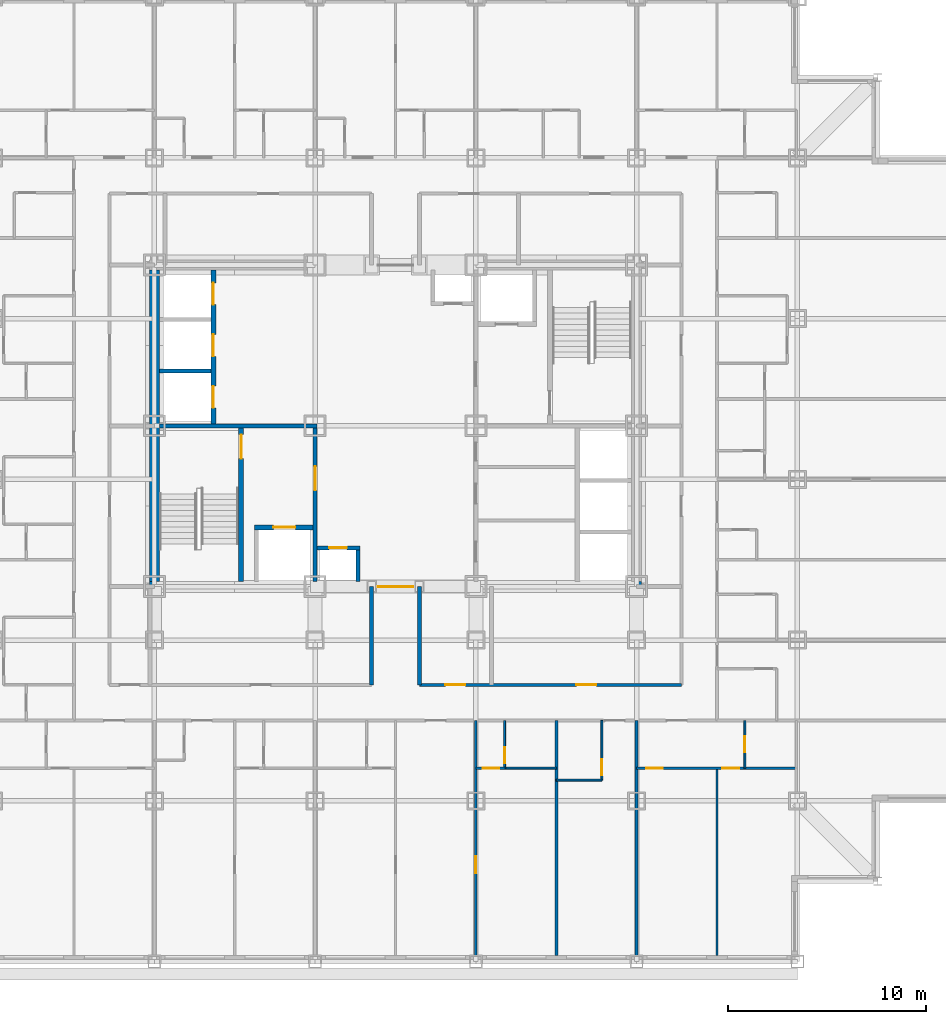
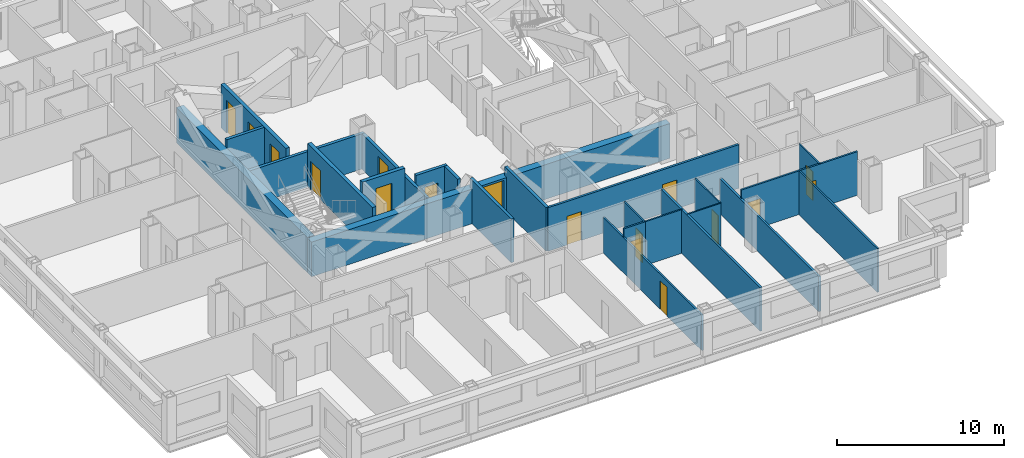
# One storey, part 6 of 12: 24 walls, 17 doors, 17 openings.
"""IFC4 building model written with IfcOpenShell, lengths in metres."""

from ifc_helpers import new_model, si_unit, direction, frame, frame_2d, origin, place, context, subcontext, project, spatial, rectangle, extrude, material, layer, layer_set, type_object, element, fill, save


model = new_model("IFC4")

# Units and contexts
model_context = context("Model", 3, precision=1e-05, world=origin(), true_north=direction((0.0, 1.0)))
body_context = subcontext(model_context, "Body", "Model", "MODEL_VIEW")
ifc_project = project(units=[si_unit("LENGTHUNIT", "METRE"), si_unit("AREAUNIT", "SQUARE_METRE"), si_unit("VOLUMEUNIT", "CUBIC_METRE"), si_unit("PLANEANGLEUNIT", "RADIAN"), si_unit("MASSUNIT", "GRAM", prefix="KILO")], contexts=[model_context])

# Site, building, storey
site_placement = place(None, origin())
site = spatial("IfcSite", under=ifc_project, at=site_placement, CompositionType="ELEMENT")
building_placement = place(site_placement, origin())
building = spatial("IfcBuilding", under=site, at=building_placement, Name="Kopane Lantern Tower", CompositionType="ELEMENT")
storey_placement = place(building_placement, frame((0.0, 0.0, 117.0)))
storey = spatial("IfcBuildingStorey", under=building, at=storey_placement, Name="L29", CompositionType="ELEMENT", Elevation=117.0)

# Wall, opening, door
ifc_material_1 = material(Name="Gypsum board on steel studs", Category="steel")
ifc_layer_1 = layer(ifc_material_1, 0.1201171875)
ifc_layer_set_1 = layer_set([ifc_layer_1], Name="APARTMENT INTERNAL WALL 120")
wall_type_1 = type_object("IfcWallType", Name="APARTMENT INTERNAL WALL 120", PredefinedType="PARTITIONING", material=ifc_layer_set_1)
wall_1_placement = place(storey_placement, frame((32.39990234375, 17.550048828125, 0.0), z_axis=(0.0, 0.0, 1.0), x_axis=(0.0, -1.0, 0.0)))
wall_1 = element("IfcWall", 1, at=wall_1_placement, inside=storey, type_object=wall_type_1, Name="Apartment Internal Wall 120 L29", PredefinedType="PARTITIONING", context=body_context, shape_type="SweptSolid", body=[
    extrude(rectangle(XDim=11.85009765625, YDim=0.1201171875, at=frame_2d((5.925048828125, 0.0))), origin(), (0.0, 0.0, 1.0), 2.577880859375),
])
opening_1_placement = place(wall_1_placement, frame((6.85009765625, 0.0, 0.0)))
opening_1 = element("IfcOpeningElement", 2, at=opening_1_placement, cuts=wall_1, Name="Opening L29-021", PredefinedType="OPENING", context=body_context, shape_type="SweptSolid", body=[
    extrude(rectangle(XDim=0.85009765625, YDim=2.10009765625, at=frame_2d((0.425048828125, 1.050048828125))), frame((0.0, 0.070068359375, 0.0), z_axis=(0.0, -1.0, 0.0), x_axis=(1.0, 0.0, 0.0)), (0.0, 0.0, 1.0), 0.14013671875),
])
ifc_material_2 = material(Name="Timber door set", Category="wood")
door_type_1 = type_object("IfcDoorType", Name="DOOR D4 850x2100", OperationType="SINGLE_SWING_LEFT", PredefinedType="DOOR", material=ifc_material_2)
door_1_placement = place(opening_1_placement, origin())
door_1 = element("IfcDoor", 3, at=door_1_placement, inside=storey, type_object=door_type_1, Name="Door L29-021", OperationType="SINGLE_SWING_LEFT", OverallHeight=2.10009765625, OverallWidth=0.85009765625, PredefinedType="DOOR", context=body_context, shape_type="SweptSolid", body=[
    extrude(rectangle(XDim=0.85009765625, YDim=2.10009765625, at=frame_2d((0.425048828125, 1.050048828125))), frame((0.0, 0.02490234375, 0.0), z_axis=(0.0, -1.0, 0.0), x_axis=(1.0, 0.0, 0.0)), (0.0, 0.0, 1.0), 0.050048828125),
])
fill(opening_1, door_1)

# Wall, openings, doors
wall_2_placement = place(storey_placement, frame((40.5, 15.14990234375, 0.0), z_axis=(0.0, 0.0, 1.0), x_axis=(1.0, 0.0, 0.0)))
wall_2 = element("IfcWall", 4, at=wall_2_placement, inside=storey, type_object=wall_type_1, Name="Apartment Internal Wall 120 L29", PredefinedType="PARTITIONING", context=body_context, shape_type="SweptSolid", body=[
    extrude(rectangle(XDim=8.050048828125, YDim=0.1201171875, at=frame_2d((4.02490234375, 0.0))), origin(), (0.0, 0.0, 1.0), 3.18994140625),
])
opening_2_placement = place(wall_2_placement, frame((0.47509765625, 0.0, 0.0)))
opening_2 = element("IfcOpeningElement", 5, at=opening_2_placement, cuts=wall_2, Name="Opening L29-064", PredefinedType="OPENING", context=body_context, shape_type="SweptSolid", body=[
    extrude(rectangle(XDim=0.85009765625, YDim=2.10009765625, at=frame_2d((0.425048828125, 1.050048828125))), frame((0.0, 0.070068359375, 0.0), z_axis=(0.0, -1.0, 0.0), x_axis=(1.0, 0.0, 0.0)), (0.0, 0.0, 1.0), 0.14013671875),
])
opening_3_placement = place(wall_2_placement, frame((4.324951171875, 0.0, 0.0)))
opening_3 = element("IfcOpeningElement", 6, at=opening_3_placement, cuts=wall_2, Name="Opening L29-066", PredefinedType="OPENING", context=body_context, shape_type="SweptSolid", body=[
    extrude(rectangle(XDim=0.85009765625, YDim=2.10009765625, at=frame_2d((0.425048828125, 1.050048828125))), frame((0.0, 0.070068359375, 0.0), z_axis=(0.0, -1.0, 0.0), x_axis=(1.0, 0.0, 0.0)), (0.0, 0.0, 1.0), 0.14013671875),
])
door_2_placement = place(opening_2_placement, origin())
door_2 = element("IfcDoor", 7, at=door_2_placement, inside=storey, type_object=door_type_1, Name="Door L29-064", OperationType="SINGLE_SWING_LEFT", OverallHeight=2.10009765625, OverallWidth=0.85009765625, PredefinedType="DOOR", context=body_context, shape_type="SweptSolid", body=[
    extrude(rectangle(XDim=0.85009765625, YDim=2.10009765625, at=frame_2d((0.425048828125, 1.050048828125))), frame((0.0, 0.02490234375, 0.0), z_axis=(0.0, -1.0, 0.0), x_axis=(1.0, 0.0, 0.0)), (0.0, 0.0, 1.0), 0.050048828125),
])
fill(opening_2, door_2)
door_3_placement = place(opening_3_placement, origin())
door_3 = element("IfcDoor", 8, at=door_3_placement, inside=storey, type_object=door_type_1, Name="Door L29-066", OperationType="SINGLE_SWING_RIGHT", OverallHeight=2.10009765625, OverallWidth=0.85009765625, PredefinedType="DOOR", context=body_context, shape_type="SweptSolid", body=[
    extrude(rectangle(XDim=0.85009765625, YDim=2.10009765625, at=frame_2d((0.425048828125, 1.050048828125))), frame((0.0, 0.02490234375, 0.0), z_axis=(0.0, -1.0, 0.0), x_axis=(1.0, 0.0, 0.0)), (0.0, 0.0, 1.0), 0.050048828125),
])
fill(opening_3, door_3)

# Wall
wall_3_placement = place(storey_placement, frame((44.550048828125, 15.14990234375, 0.0), z_axis=(0.0, 0.0, 1.0), x_axis=(0.0, -1.0, 0.0)))
element("IfcWall", 9, at=wall_3_placement, inside=storey, type_object=wall_type_1, Name="Apartment Internal Wall 120 L29", PredefinedType="PARTITIONING", context=body_context, shape_type="SweptSolid", body=[
    extrude(rectangle(XDim=9.449951171875, YDim=0.1201171875, at=frame_2d((4.72509765625, 0.0))), origin(), (0.0, 0.0, 1.0), 3.18994140625),
])

# Wall, opening, door
wall_4_placement = place(storey_placement, frame((33.860107421875, 15.14990234375, 0.0), z_axis=(0.0, 0.0, 1.0), x_axis=(-1.0, 0.0, 0.0)))
wall_4 = element("IfcWall", 10, at=wall_4_placement, inside=storey, type_object=wall_type_1, Name="Apartment Internal Wall 120 L29", PredefinedType="PARTITIONING", context=body_context, shape_type="SweptSolid", body=[
    extrude(rectangle(XDim=1.460205078125, YDim=0.1201171875, at=frame_2d((0.72998046875, 0.0))), origin(), (0.0, 0.0, 1.0), 3.18994140625),
])
opening_4_placement = place(wall_4_placement, frame((0.27490234375, 0.0, 0.0)))
opening_4 = element("IfcOpeningElement", 11, at=opening_4_placement, cuts=wall_4, Name="Opening L29-077", PredefinedType="OPENING", context=body_context, shape_type="SweptSolid", body=[
    extrude(rectangle(XDim=0.85009765625, YDim=2.10009765625, at=frame_2d((0.425048828125, 1.050048828125))), frame((0.0, 0.070068359375, 0.0), z_axis=(0.0, -1.0, 0.0), x_axis=(1.0, 0.0, 0.0)), (0.0, 0.0, 1.0), 0.14013671875),
])
door_4_placement = place(opening_4_placement, origin())
door_4 = element("IfcDoor", 12, at=door_4_placement, inside=storey, type_object=door_type_1, Name="Door L29-077", OperationType="SINGLE_SWING_RIGHT", OverallHeight=2.10009765625, OverallWidth=0.85009765625, PredefinedType="DOOR", context=body_context, shape_type="SweptSolid", body=[
    extrude(rectangle(XDim=0.85009765625, YDim=2.10009765625, at=frame_2d((0.425048828125, 1.050048828125))), frame((0.0, 0.02490234375, 0.0), z_axis=(0.0, -1.0, 0.0), x_axis=(1.0, 0.0, 0.0)), (0.0, 0.0, 1.0), 0.050048828125),
])
fill(opening_4, door_4)

# Wall
ifc_material_3 = material(Name="Moisture-resistant board on steel studs", Category="steel")
ifc_layer_2 = layer(ifc_material_3, 0.10009765625)
ifc_layer_set_2 = layer_set([ifc_layer_2], Name="BATHROOM WALL 100")
wall_type_2 = type_object("IfcWallType", Name="BATHROOM WALL 100", PredefinedType="PARTITIONING", material=ifc_layer_set_2)
wall_5_placement = place(storey_placement, frame((33.85009765625, 15.14990234375, 0.0), z_axis=(0.0, 0.0, 1.0), x_axis=(1.0, 0.0, 0.0)))
element("IfcWall", 13, at=wall_5_placement, inside=storey, type_object=wall_type_2, Name="Bathroom Wall 100 L29", PredefinedType="PARTITIONING", context=body_context, shape_type="SweptSolid", body=[
    extrude(rectangle(XDim=2.599853515625, YDim=0.10009765625, at=frame_2d((1.2998046875, 0.0))), origin(), (0.0, 0.0, 1.0), 3.18994140625),
])

# Wall, opening, door
wall_6_placement = place(storey_placement, frame((33.85009765625, 17.550048828125, 0.0), z_axis=(0.0, 0.0, 1.0), x_axis=(0.0, -1.0, 0.0)))
wall_6 = element("IfcWall", 14, at=wall_6_placement, inside=storey, type_object=wall_type_2, Name="Bathroom Wall 100 L29", PredefinedType="PARTITIONING", context=body_context, shape_type="SweptSolid", body=[
    extrude(rectangle(XDim=2.400146484375, YDim=0.10009765625, at=frame_2d((1.2001953125, 0.0))), origin(), (0.0, 0.0, 1.0), 3.18994140625),
])
opening_5_placement = place(wall_6_placement, frame((1.35009765625, 0.0, 0.0)))
opening_5 = element("IfcOpeningElement", 15, at=opening_5_placement, cuts=wall_6, Name="Opening L29-020", PredefinedType="OPENING", context=body_context, shape_type="SweptSolid", body=[
    extrude(rectangle(XDim=0.800048828125, YDim=2.10009765625, at=frame_2d((0.39990234375, 1.050048828125))), frame((0.0, 0.06005859375, 0.0), z_axis=(0.0, -1.0, 0.0), x_axis=(1.0, 0.0, 0.0)), (0.0, 0.0, 1.0), 0.1201171875),
])
ifc_material_4 = material(Name="Timber door set", Category="wood")
door_type_2 = type_object("IfcDoorType", Name="DOOR D2 800x2100", OperationType="SINGLE_SWING_LEFT", PredefinedType="DOOR", material=ifc_material_4)
door_5_placement = place(opening_5_placement, origin())
door_5 = element("IfcDoor", 16, at=door_5_placement, inside=storey, type_object=door_type_2, Name="Door L29-020", OperationType="SINGLE_SWING_LEFT", OverallHeight=2.10009765625, OverallWidth=0.800048828125, PredefinedType="DOOR", context=body_context, shape_type="SweptSolid", body=[
    extrude(rectangle(XDim=0.800048828125, YDim=2.10009765625, at=frame_2d((0.39990234375, 1.050048828125))), frame((0.0, 0.02490234375, 0.0), z_axis=(0.0, -1.0, 0.0), x_axis=(1.0, 0.0, 0.0)), (0.0, 0.0, 1.0), 0.050048828125),
])
fill(opening_5, door_5)

# Wall
wall_7_placement = place(storey_placement, frame((36.449951171875, 14.550048828125, 0.0), z_axis=(0.0, 0.0, 1.0), x_axis=(1.0, 0.0, 0.0)))
element("IfcWall", 17, at=wall_7_placement, inside=storey, type_object=wall_type_2, Name="Bathroom Wall 100 L29", PredefinedType="PARTITIONING", context=body_context, shape_type="SweptSolid", body=[
    extrude(rectangle(XDim=2.300048828125, YDim=0.10009765625, at=frame_2d((1.14990234375, 0.0))), origin(), (0.0, 0.0, 1.0), 3.18994140625),
])

# Wall, opening, door
wall_8_placement = place(storey_placement, frame((38.75, 17.550048828125, 0.0), z_axis=(0.0, 0.0, 1.0), x_axis=(0.0, -1.0, 0.0)))
wall_8 = element("IfcWall", 18, at=wall_8_placement, inside=storey, type_object=wall_type_2, Name="Bathroom Wall 100 L29", PredefinedType="PARTITIONING", context=body_context, shape_type="SweptSolid", body=[
    extrude(rectangle(XDim=3.0, YDim=0.10009765625, at=frame_2d((1.5, 0.0))), origin(), (0.0, 0.0, 1.0), 3.18994140625),
])
opening_6_placement = place(wall_8_placement, frame((1.949951171875, 0.0, 0.0)))
opening_6 = element("IfcOpeningElement", 19, at=opening_6_placement, cuts=wall_8, Name="Opening L29-022", PredefinedType="OPENING", context=body_context, shape_type="SweptSolid", body=[
    extrude(rectangle(XDim=0.800048828125, YDim=2.10009765625, at=frame_2d((0.39990234375, 1.050048828125))), frame((0.0, 0.06005859375, 0.0), z_axis=(0.0, -1.0, 0.0), x_axis=(1.0, 0.0, 0.0)), (0.0, 0.0, 1.0), 0.1201171875),
])
door_6_placement = place(opening_6_placement, origin())
door_6 = element("IfcDoor", 20, at=door_6_placement, inside=storey, type_object=door_type_2, Name="Door L29-022", OperationType="SINGLE_SWING_LEFT", OverallHeight=2.10009765625, OverallWidth=0.800048828125, PredefinedType="DOOR", context=body_context, shape_type="SweptSolid", body=[
    extrude(rectangle(XDim=0.800048828125, YDim=2.10009765625, at=frame_2d((0.39990234375, 1.050048828125))), frame((0.0, 0.02490234375, 0.0), z_axis=(0.0, -1.0, 0.0), x_axis=(1.0, 0.0, 0.0)), (0.0, 0.0, 1.0), 0.050048828125),
])
fill(opening_6, door_6)

wall_9_placement = place(storey_placement, frame((45.949951171875, 17.550048828125, 0.0), z_axis=(0.0, 0.0, 1.0), x_axis=(0.0, -1.0, 0.0)))
wall_9 = element("IfcWall", 21, at=wall_9_placement, inside=storey, type_object=wall_type_2, Name="Bathroom Wall 100 L29", PredefinedType="PARTITIONING", context=body_context, shape_type="SweptSolid", body=[
    extrude(rectangle(XDim=2.400146484375, YDim=0.10009765625, at=frame_2d((1.2001953125, 0.0))), origin(), (0.0, 0.0, 1.0), 3.18994140625),
])
opening_7_placement = place(wall_9_placement, frame((0.800048828125, 0.0, 0.0)))
opening_7 = element("IfcOpeningElement", 22, at=opening_7_placement, cuts=wall_9, Name="Opening L29-065", PredefinedType="OPENING", context=body_context, shape_type="SweptSolid", body=[
    extrude(rectangle(XDim=0.800048828125, YDim=2.10009765625, at=frame_2d((0.39990234375, 1.050048828125))), frame((0.0, 0.06005859375, 0.0), z_axis=(0.0, -1.0, 0.0), x_axis=(1.0, 0.0, 0.0)), (0.0, 0.0, 1.0), 0.1201171875),
])
door_7_placement = place(opening_7_placement, origin())
door_7 = element("IfcDoor", 23, at=door_7_placement, inside=storey, type_object=door_type_2, Name="Door L29-065", OperationType="SINGLE_SWING_LEFT", OverallHeight=2.10009765625, OverallWidth=0.800048828125, PredefinedType="DOOR", context=body_context, shape_type="SweptSolid", body=[
    extrude(rectangle(XDim=0.800048828125, YDim=2.10009765625, at=frame_2d((0.39990234375, 1.050048828125))), frame((0.0, 0.02490234375, 0.0), z_axis=(0.0, -1.0, 0.0), x_axis=(1.0, 0.0, 0.0)), (0.0, 0.0, 1.0), 0.050048828125),
])
fill(opening_7, door_7)

ifc_material_5 = material(Name="Gypsum shaft wall EI 120", Category="gypsum")
ifc_layer_3 = layer(ifc_material_5, 0.5)
ifc_layer_set_3 = layer_set([ifc_layer_3], Name="CORE PERIMETER WALL 500 EI 120")
wall_type_3 = type_object("IfcWallType", Name="CORE PERIMETER WALL 500 EI 120", PredefinedType="SOLIDWALL", material=ifc_layer_set_3)
wall_10_placement = place(storey_placement, frame((15.949951171875, 24.300048828125, 0.0), z_axis=(0.0, 0.0, 1.0), x_axis=(1.0, 0.0, 0.0)))
wall_10 = element("IfcWall", 24, at=wall_10_placement, inside=storey, type_object=wall_type_3, Name="Core shaft wall L29 PS", PredefinedType="SOLIDWALL", context=body_context, shape_type="SweptSolid", body=[
    extrude(rectangle(XDim=24.800048828125, YDim=0.5, at=frame_2d((12.39990234375, 0.0))), origin(), (0.0, 0.0, 1.0), 2.5400390625),
])
opening_8_placement = place(wall_10_placement, frame((11.5, 0.0, 0.0)))
opening_8 = element("IfcOpeningElement", 25, at=opening_8_placement, cuts=wall_10, Name="Opening 29.CE-S", PredefinedType="OPENING", context=body_context, shape_type="SweptSolid", body=[
    extrude(rectangle(XDim=1.800048828125, YDim=2.39990234375, at=frame_2d((0.89990234375, 1.199951171875))), frame((0.0, 0.260009765625, 0.0), z_axis=(0.0, -1.0, 0.0), x_axis=(1.0, 0.0, 0.0)), (0.0, 0.0, 1.0), 0.52001953125),
])
ifc_material_6 = material(Name="Steel door set", Category="steel")
door_type_3 = type_object("IfcDoorType", Name="CORE ENTRY DOOR 1800x2400 FD60S", OperationType="DOUBLE_DOOR_SINGLE_SWING", PredefinedType="DOOR", material=ifc_material_6)
door_8_placement = place(opening_8_placement, origin())
door_8 = element("IfcDoor", 26, at=door_8_placement, inside=storey, type_object=door_type_3, Name="Core entry door L29 south", OperationType="DOUBLE_DOOR_SINGLE_SWING", OverallHeight=2.39990234375, OverallWidth=1.800048828125, PredefinedType="DOOR", context=body_context, shape_type="SweptSolid", body=[
    extrude(rectangle(XDim=1.800048828125, YDim=2.39990234375, at=frame_2d((0.89990234375, 1.199951171875))), frame((0.0, 0.02490234375, 0.0), z_axis=(0.0, -1.0, 0.0), x_axis=(1.0, 0.0, 0.0)), (0.0, 0.0, 1.0), 0.050048828125),
])
fill(opening_8, door_8)

# Wall
wall_11_placement = place(storey_placement, frame((16.199951171875, 24.550048828125, 0.0), z_axis=(0.0, 0.0, 1.0), x_axis=(0.0, 1.0, 0.0)))
element("IfcWall", 27, at=wall_11_placement, inside=storey, type_object=wall_type_3, Name="Core shaft wall L29 PW", PredefinedType="SOLIDWALL", context=body_context, shape_type="SweptSolid", body=[
    extrude(rectangle(XDim=15.699951171875, YDim=0.5, at=frame_2d((7.85009765625, 0.0))), origin(), (0.0, 0.0, 1.0), 2.577880859375),
])

# Wall, opening, door
ifc_material_7 = material(Name="Gypsum shaft wall EI 120", Category="gypsum")
ifc_layer_4 = layer(ifc_material_7, 0.25)
ifc_layer_set_4 = layer_set([ifc_layer_4], Name="CORE SHAFT WALL 250 EI 120")
wall_type_4 = type_object("IfcWallType", Name="CORE SHAFT WALL 250 EI 120", PredefinedType="SOLIDWALL", material=ifc_layer_set_4)
wall_12_placement = place(storey_placement, frame((20.574951171875, 24.550048828125, 0.0), z_axis=(0.0, 0.0, 1.0), x_axis=(0.0, 1.0, 0.0)))
wall_12 = element("IfcWall", 28, at=wall_12_placement, inside=storey, type_object=wall_type_4, Name="Core shaft wall L29 XST1", PredefinedType="SOLIDWALL", context=body_context, shape_type="SweptSolid", body=[
    extrude(rectangle(XDim=7.75, YDim=0.25, at=frame_2d((3.875, 0.0))), origin(), (0.0, 0.0, 1.0), 3.18994140625),
])
opening_9_placement = place(wall_12_placement, frame((6.199951171875, 0.0, 0.0)))
opening_9 = element("IfcOpeningElement", 29, at=opening_9_placement, cuts=wall_12, Name="Opening 29.SD1", PredefinedType="OPENING", context=body_context, shape_type="SweptSolid", body=[
    extrude(rectangle(XDim=1.199951171875, YDim=2.10009765625, at=frame_2d((0.60009765625, 1.050048828125))), frame((0.0, 0.135009765625, 0.0), z_axis=(0.0, -1.0, 0.0), x_axis=(1.0, 0.0, 0.0)), (0.0, 0.0, 1.0), 0.27001953125),
])
ifc_material_8 = material(Name="Steel door set", Category="steel")
door_type_4 = type_object("IfcDoorType", Name="STAIR DOOR 1200x2100 FD60S", OperationType="SINGLE_SWING_LEFT", PredefinedType="DOOR", material=ifc_material_8)
door_9_placement = place(opening_9_placement, origin())
door_9 = element("IfcDoor", 30, at=door_9_placement, inside=storey, type_object=door_type_4, Name="Stair door ST1 L29", OperationType="SINGLE_SWING_LEFT", OverallHeight=2.10009765625, OverallWidth=1.199951171875, PredefinedType="DOOR", context=body_context, shape_type="SweptSolid", body=[
    extrude(rectangle(XDim=1.199951171875, YDim=2.10009765625, at=frame_2d((0.60009765625, 1.050048828125))), frame((0.0, 0.02490234375, 0.0), z_axis=(0.0, -1.0, 0.0), x_axis=(1.0, 0.0, 0.0)), (0.0, 0.0, 1.0), 0.050048828125),
])
fill(opening_9, door_9)

wall_13_placement = place(storey_placement, frame((21.25, 27.27490234375, 0.0), z_axis=(0.0, 0.0, 1.0), x_axis=(1.0, 0.0, 0.0)))
wall_13 = element("IfcWall", 31, at=wall_13_placement, inside=storey, type_object=wall_type_4, Name="Core shaft wall L29 YLF1", PredefinedType="SOLIDWALL", context=body_context, shape_type="SweptSolid", body=[
    extrude(rectangle(XDim=2.949951171875, YDim=0.25, at=frame_2d((1.47509765625, 0.0))), origin(), (0.0, 0.0, 1.0), 3.18994140625),
])
opening_10_placement = place(wall_13_placement, frame((0.949951171875, 0.0, 0.0)))
opening_10 = element("IfcOpeningElement", 32, at=opening_10_placement, cuts=wall_13, Name="Opening 29.LD-LF1", PredefinedType="OPENING", context=body_context, shape_type="SweptSolid", body=[
    extrude(rectangle(XDim=1.10009765625, YDim=2.39990234375, at=frame_2d((0.550048828125, 1.199951171875))), frame((0.0, 0.135009765625, 0.0), z_axis=(0.0, -1.0, 0.0), x_axis=(1.0, 0.0, 0.0)), (0.0, 0.0, 1.0), 0.27001953125),
])
ifc_material_9 = material(Name="Steel door set", Category="steel")
door_type_5 = type_object("IfcDoorType", Name="LIFT LANDING DOOR 1100x2400 FD60", OperationType="DOUBLE_DOOR_SLIDING", PredefinedType="DOOR", material=ifc_material_9)
door_10_placement = place(opening_10_placement, origin())
door_10 = element("IfcDoor", 33, at=door_10_placement, inside=storey, type_object=door_type_5, Name="Landing door LF1 L29", OperationType="DOUBLE_DOOR_SLIDING", OverallHeight=2.39990234375, OverallWidth=1.10009765625, PredefinedType="DOOR", context=body_context, shape_type="SweptSolid", body=[
    extrude(rectangle(XDim=1.10009765625, YDim=2.39990234375, at=frame_2d((0.550048828125, 1.199951171875))), frame((0.0, 0.02490234375, 0.0), z_axis=(0.0, -1.0, 0.0), x_axis=(1.0, 0.0, 0.0)), (0.0, 0.0, 1.0), 0.050048828125),
])
fill(opening_10, door_10)

# Wall, openings, doors
wall_14_placement = place(storey_placement, frame((19.175048828125, 32.5, 0.0), z_axis=(0.0, 0.0, 1.0), x_axis=(0.0, 1.0, 0.0)))
wall_14 = element("IfcWall", 34, at=wall_14_placement, inside=storey, type_object=wall_type_4, Name="Core shaft wall L29 XLH", PredefinedType="SOLIDWALL", context=body_context, shape_type="SweptSolid", body=[
    extrude(rectangle(XDim=7.75, YDim=0.25, at=frame_2d((3.875, 0.0))), origin(), (0.0, 0.0, 1.0), 3.18994140625),
])
opening_11_placement = place(wall_14_placement, frame((0.800048828125, 0.0, 0.0)))
opening_11 = element("IfcOpeningElement", 35, at=opening_11_placement, cuts=wall_14, Name="Opening 29.LD-LH1", PredefinedType="OPENING", context=body_context, shape_type="SweptSolid", body=[
    extrude(rectangle(XDim=1.10009765625, YDim=2.39990234375, at=frame_2d((0.550048828125, 1.199951171875))), frame((0.0, 0.135009765625, 0.0), z_axis=(0.0, -1.0, 0.0), x_axis=(1.0, 0.0, 0.0)), (0.0, 0.0, 1.0), 0.27001953125),
])
opening_12_placement = place(wall_14_placement, frame((3.39990234375, 0.0, 0.0)))
opening_12 = element("IfcOpeningElement", 36, at=opening_12_placement, cuts=wall_14, Name="Opening 29.LD-LH2", PredefinedType="OPENING", context=body_context, shape_type="SweptSolid", body=[
    extrude(rectangle(XDim=1.10009765625, YDim=2.39990234375, at=frame_2d((0.550048828125, 1.199951171875))), frame((0.0, 0.135009765625, 0.0), z_axis=(0.0, -1.0, 0.0), x_axis=(1.0, 0.0, 0.0)), (0.0, 0.0, 1.0), 0.27001953125),
])
opening_13_placement = place(wall_14_placement, frame((6.0, 0.0, 0.0)))
opening_13 = element("IfcOpeningElement", 37, at=opening_13_placement, cuts=wall_14, Name="Opening 29.LD-LH3", PredefinedType="OPENING", context=body_context, shape_type="SweptSolid", body=[
    extrude(rectangle(XDim=1.10009765625, YDim=2.39990234375, at=frame_2d((0.550048828125, 1.199951171875))), frame((0.0, 0.135009765625, 0.0), z_axis=(0.0, -1.0, 0.0), x_axis=(1.0, 0.0, 0.0)), (0.0, 0.0, 1.0), 0.27001953125),
])
door_11_placement = place(opening_11_placement, origin())
door_11 = element("IfcDoor", 38, at=door_11_placement, inside=storey, type_object=door_type_5, Name="Landing door LH1 L29", OperationType="DOUBLE_DOOR_SLIDING", OverallHeight=2.39990234375, OverallWidth=1.10009765625, PredefinedType="DOOR", context=body_context, shape_type="SweptSolid", body=[
    extrude(rectangle(XDim=1.10009765625, YDim=2.39990234375, at=frame_2d((0.550048828125, 1.199951171875))), frame((0.0, 0.02490234375, 0.0), z_axis=(0.0, -1.0, 0.0), x_axis=(1.0, 0.0, 0.0)), (0.0, 0.0, 1.0), 0.050048828125),
])
fill(opening_11, door_11)
door_12_placement = place(opening_12_placement, origin())
door_12 = element("IfcDoor", 39, at=door_12_placement, inside=storey, type_object=door_type_5, Name="Landing door LH2 L29", OperationType="DOUBLE_DOOR_SLIDING", OverallHeight=2.39990234375, OverallWidth=1.10009765625, PredefinedType="DOOR", context=body_context, shape_type="SweptSolid", body=[
    extrude(rectangle(XDim=1.10009765625, YDim=2.39990234375, at=frame_2d((0.550048828125, 1.199951171875))), frame((0.0, 0.02490234375, 0.0), z_axis=(0.0, -1.0, 0.0), x_axis=(1.0, 0.0, 0.0)), (0.0, 0.0, 1.0), 0.050048828125),
])
fill(opening_12, door_12)
door_13_placement = place(opening_13_placement, origin())
door_13 = element("IfcDoor", 40, at=door_13_placement, inside=storey, type_object=door_type_5, Name="Landing door LH3 L29", OperationType="DOUBLE_DOOR_SLIDING", OverallHeight=2.39990234375, OverallWidth=1.10009765625, PredefinedType="DOOR", context=body_context, shape_type="SweptSolid", body=[
    extrude(rectangle(XDim=1.10009765625, YDim=2.39990234375, at=frame_2d((0.550048828125, 1.199951171875))), frame((0.0, 0.02490234375, 0.0), z_axis=(0.0, -1.0, 0.0), x_axis=(1.0, 0.0, 0.0)), (0.0, 0.0, 1.0), 0.050048828125),
])
fill(opening_13, door_13)

ifc_material_10 = material(Name="Gypsum board on steel studs", Category="steel")
ifc_layer_5 = layer(ifc_material_10, 0.14990234375)
ifc_layer_set_5 = layer_set([ifc_layer_5], Name="CORRIDOR WALL 150 EI 60")
wall_type_5 = type_object("IfcWallType", Name="CORRIDOR WALL 150 EI 60", PredefinedType="PARTITIONING", material=ifc_layer_set_5)
wall_15_placement = place(storey_placement, frame((29.56005859375, 19.35009765625, 0.0), z_axis=(0.0, 0.0, 1.0), x_axis=(1.0, 0.0, 0.0)))
wall_15 = element("IfcWall", 41, at=wall_15_placement, inside=storey, type_object=wall_type_5, Name="Corridor Wall 150 Ei 60 L29", PredefinedType="PARTITIONING", context=body_context, shape_type="SweptSolid", body=[
    extrude(rectangle(XDim=13.18994140625, YDim=0.14990234375, at=frame_2d((6.594970703125, 0.0))), origin(), (0.0, 0.0, 1.0), 3.18994140625),
])
opening_14_placement = place(wall_15_placement, frame((1.30810546875, 0.0, 0.0)))
opening_14 = element("IfcOpeningElement", 42, at=opening_14_placement, cuts=wall_15, Name="Opening L29-007", PredefinedType="OPENING", context=body_context, shape_type="SweptSolid", body=[
    extrude(rectangle(XDim=1.0, YDim=2.10009765625, at=frame_2d((0.5, 1.050048828125))), frame((0.0, 0.0849609375, 0.0), z_axis=(0.0, -1.0, 0.0), x_axis=(1.0, 0.0, 0.0)), (0.0, 0.0, 1.0), 0.169921875),
])
opening_15_placement = place(wall_15_placement, frame((7.908203125, 0.0, 0.0)))
opening_15 = element("IfcOpeningElement", 43, at=opening_15_placement, cuts=wall_15, Name="Opening L29-008", PredefinedType="OPENING", context=body_context, shape_type="SweptSolid", body=[
    extrude(rectangle(XDim=1.0, YDim=2.10009765625, at=frame_2d((0.5, 1.050048828125))), frame((0.0, 0.0849609375, 0.0), z_axis=(0.0, -1.0, 0.0), x_axis=(1.0, 0.0, 0.0)), (0.0, 0.0, 1.0), 0.169921875),
])
ifc_material_11 = material(Name="Steel door set", Category="steel")
door_type_6 = type_object("IfcDoorType", Name="DOOR D5 1000x2100 FD60", OperationType="SINGLE_SWING_LEFT", PredefinedType="DOOR", material=ifc_material_11)
door_14_placement = place(opening_14_placement, origin())
door_14 = element("IfcDoor", 44, at=door_14_placement, inside=storey, type_object=door_type_6, Name="Door L29-007", OperationType="SINGLE_SWING_LEFT", OverallHeight=2.10009765625, OverallWidth=1.0, PredefinedType="DOOR", context=body_context, shape_type="SweptSolid", body=[
    extrude(rectangle(XDim=1.0, YDim=2.10009765625, at=frame_2d((0.5, 1.050048828125))), frame((0.0, 0.02490234375, 0.0), z_axis=(0.0, -1.0, 0.0), x_axis=(1.0, 0.0, 0.0)), (0.0, 0.0, 1.0), 0.050048828125),
])
fill(opening_14, door_14)
door_15_placement = place(opening_15_placement, origin())
door_15 = element("IfcDoor", 45, at=door_15_placement, inside=storey, type_object=door_type_6, Name="Door L29-008", OperationType="SINGLE_SWING_RIGHT", OverallHeight=2.10009765625, OverallWidth=1.0, PredefinedType="DOOR", context=body_context, shape_type="SweptSolid", body=[
    extrude(rectangle(XDim=1.0, YDim=2.10009765625, at=frame_2d((0.5, 1.050048828125))), frame((0.0, 0.02490234375, 0.0), z_axis=(0.0, -1.0, 0.0), x_axis=(1.0, 0.0, 0.0)), (0.0, 0.0, 1.0), 0.050048828125),
])
fill(opening_15, door_15)

# Walls
ifc_material_12 = material(Name="Gypsum board on steel studs", Category="steel")
ifc_layer_6 = layer(ifc_material_12, 0.14990234375)
ifc_layer_set_6 = layer_set([ifc_layer_6], Name="DEMISING WALL 150 EI 60")
wall_type_6 = type_object("IfcWallType", Name="DEMISING WALL 150 EI 60", PredefinedType="PARTITIONING", material=ifc_layer_set_6)
wall_16_placement = place(storey_placement, frame((36.449951171875, 17.550048828125, 0.0), z_axis=(0.0, 0.0, 1.0), x_axis=(0.0, -1.0, 0.0)))
element("IfcWall", 46, at=wall_16_placement, inside=storey, type_object=wall_type_6, Name="Demising Wall 150 Ei 60 L29", PredefinedType="PARTITIONING", context=body_context, shape_type="SweptSolid", body=[
    extrude(rectangle(XDim=11.85009765625, YDim=0.14990234375, at=frame_2d((5.925048828125, 0.0))), origin(), (0.0, 0.0, 1.0), 3.18994140625),
])
wall_17_placement = place(storey_placement, frame((40.5, 17.550048828125, 0.0), z_axis=(0.0, 0.0, 1.0), x_axis=(0.0, -1.0, 0.0)))
element("IfcWall", 47, at=wall_17_placement, inside=storey, type_object=wall_type_6, Name="Demising Wall 150 Ei 60 L29", PredefinedType="PARTITIONING", context=body_context, shape_type="SweptSolid", body=[
    extrude(rectangle(XDim=11.85009765625, YDim=0.14990234375, at=frame_2d((5.925048828125, 0.0))), origin(), (0.0, 0.0, 1.0), 2.577880859375),
])
ifc_material_13 = material(Name="Concrete masonry", Category="masonry")
ifc_layer_7 = layer(ifc_material_13, 0.199951171875)
ifc_layer_set_7 = layer_set([ifc_layer_7], Name="PLANT ROOM WALL 200 EI 120")
wall_type_7 = type_object("IfcWallType", Name="PLANT ROOM WALL 200 EI 120", PredefinedType="SOLIDWALL", material=ifc_layer_set_7)
for number, where, z_axis, x_axis, name in (
    (48, (27.14990234375, 19.35009765625, 0.0), (0.0, 0.0, 1.0), (0.0, 1.0, 0.0), "Plant Room Wall 200 Ei 120 L29"),
    (49, (29.550048828125, 19.35009765625, 0.0), (0.0, 0.0, 1.0), (0.0, 1.0, 0.0), "Plant Room Wall 200 Ei 120 L29"),
):
    element("IfcWall", number, at=place(storey_placement, frame(where, z_axis=z_axis, x_axis=x_axis)), inside=storey, type_object=wall_type_7, Name=name, PredefinedType="SOLIDWALL", context=body_context, shape_type="SweptSolid", body=[
        extrude(rectangle(XDim=4.949951171875, YDim=0.199951171875, at=frame_2d((2.47509765625, 0.0))), origin(), (0.0, 0.0, 1.0), 3.18994140625),
    ])
ifc_material_14 = material(Name="Gypsum shaft wall EI 120", Category="gypsum")
ifc_layer_8 = layer(ifc_material_14, 0.199951171875)
ifc_layer_set_8 = layer_set([ifc_layer_8], Name="SHAFT WALL 200 EI 120")
wall_type_8 = type_object("IfcWallType", Name="SHAFT WALL 200 EI 120", PredefinedType="SOLIDWALL", material=ifc_layer_set_8)
wall_18_placement = place(storey_placement, frame((16.449951171875, 32.39990234375, 0.0), z_axis=(0.0, 0.0, 1.0), x_axis=(1.0, 0.0, 0.0)))
element("IfcWall", 50, at=wall_18_placement, inside=storey, type_object=wall_type_8, Name="Core shaft wall L29 Y324W", PredefinedType="SOLIDWALL", context=body_context, shape_type="SweptSolid", body=[
    extrude(rectangle(XDim=7.949951171875, YDim=0.199951171875, at=frame_2d((3.97509765625, 0.0))), origin(), (0.0, 0.0, 1.0), 2.577880859375),
])

# Wall, opening, door
wall_19_placement = place(storey_placement, frame((24.300048828125, 24.550048828125, 0.0), z_axis=(0.0, 0.0, 1.0), x_axis=(0.0, 1.0, 0.0)))
wall_19 = element("IfcWall", 51, at=wall_19_placement, inside=storey, type_object=wall_type_8, Name="Core shaft wall L29 X243", PredefinedType="SOLIDWALL", context=body_context, shape_type="SweptSolid", body=[
    extrude(rectangle(XDim=7.75, YDim=0.199951171875, at=frame_2d((3.875, 0.0))), origin(), (0.0, 0.0, 1.0), 2.577880859375),
])
opening_16_placement = place(wall_19_placement, frame((4.60009765625, 0.0, 0.0)))
opening_16 = element("IfcOpeningElement", 52, at=opening_16_placement, cuts=wall_19, Name="Opening 29.FL1", PredefinedType="OPENING", context=body_context, shape_type="SweptSolid", body=[
    extrude(rectangle(XDim=1.199951171875, YDim=2.10009765625, at=frame_2d((0.60009765625, 1.050048828125))), frame((0.0, 0.10986328125, 0.0), z_axis=(0.0, -1.0, 0.0), x_axis=(1.0, 0.0, 0.0)), (0.0, 0.0, 1.0), 0.219970703125),
])
ifc_material_15 = material(Name="Steel door set", Category="steel")
door_type_7 = type_object("IfcDoorType", Name="FIREFIGHTING LOBBY DOOR 1200x2100 FD60S", OperationType="SINGLE_SWING_RIGHT", PredefinedType="DOOR", material=ifc_material_15)
door_16_placement = place(opening_16_placement, origin())
door_16 = element("IfcDoor", 53, at=door_16_placement, inside=storey, type_object=door_type_7, Name="Firefighting lobby door FL1 L29", OperationType="SINGLE_SWING_LEFT", OverallHeight=2.10009765625, OverallWidth=1.199951171875, PredefinedType="DOOR", context=body_context, shape_type="SweptSolid", body=[
    extrude(rectangle(XDim=1.199951171875, YDim=2.10009765625, at=frame_2d((0.60009765625, 1.050048828125))), frame((0.0, 0.02490234375, 0.0), z_axis=(0.0, -1.0, 0.0), x_axis=(1.0, 0.0, 0.0)), (0.0, 0.0, 1.0), 0.050048828125),
])
fill(opening_16, door_16)

# Walls
wall_20_placement = place(storey_placement, frame((16.449951171875, 35.14990234375, 0.0), z_axis=(0.0, 0.0, 1.0), x_axis=(1.0, 0.0, 0.0)))
element("IfcWall", 54, at=wall_20_placement, inside=storey, type_object=wall_type_8, Name="Core shaft wall L29 YLH12", PredefinedType="SOLIDWALL", context=body_context, shape_type="SweptSolid", body=[
    extrude(rectangle(XDim=2.60009765625, YDim=0.199951171875, at=frame_2d((1.300048828125, 0.0))), origin(), (0.0, 0.0, 1.0), 3.18994140625),
])
wall_21_placement = place(storey_placement, frame((26.449951171875, 24.550048828125, 0.0), z_axis=(0.0, 0.0, 1.0), x_axis=(0.0, 1.0, 0.0)))
element("IfcWall", 55, at=wall_21_placement, inside=storey, type_object=wall_type_8, Name="Core shaft wall L29 XRS1", PredefinedType="SOLIDWALL", context=body_context, shape_type="SweptSolid", body=[
    extrude(rectangle(XDim=1.599853515625, YDim=0.199951171875, at=frame_2d((0.7998046875, 0.0))), origin(), (0.0, 0.0, 1.0), 3.18994140625),
])

# Wall, opening, door
wall_22_placement = place(storey_placement, frame((24.39990234375, 26.25, 0.0), z_axis=(0.0, 0.0, 1.0), x_axis=(1.0, 0.0, 0.0)))
wall_22 = element("IfcWall", 56, at=wall_22_placement, inside=storey, type_object=wall_type_8, Name="Core shaft wall L29 YRS1", PredefinedType="SOLIDWALL", context=body_context, shape_type="SweptSolid", body=[
    extrude(rectangle(XDim=2.150146484375, YDim=0.199951171875, at=frame_2d((1.0751953125, 0.0))), origin(), (0.0, 0.0, 1.0), 3.18994140625),
])
opening_17_placement = place(wall_22_placement, frame((0.60009765625, 0.0, 0.0)))
opening_17 = element("IfcOpeningElement", 57, at=opening_17_placement, cuts=wall_22, Name="Opening 29.RS1", PredefinedType="OPENING", context=body_context, shape_type="SweptSolid", body=[
    extrude(rectangle(XDim=0.89990234375, YDim=2.10009765625, at=frame_2d((0.449951171875, 1.050048828125))), frame((0.0, 0.10986328125, 0.0), z_axis=(0.0, -1.0, 0.0), x_axis=(1.0, 0.0, 0.0)), (0.0, 0.0, 1.0), 0.219970703125),
])
ifc_material_16 = material(Name="Steel door set", Category="steel")
door_type_8 = type_object("IfcDoorType", Name="RISER ACCESS DOOR 900x2100 FD60", OperationType="SINGLE_SWING_LEFT", PredefinedType="DOOR", material=ifc_material_16)
door_17_placement = place(opening_17_placement, origin())
door_17 = element("IfcDoor", 58, at=door_17_placement, inside=storey, type_object=door_type_8, Name="Riser access door RS1 L29", OperationType="SINGLE_SWING_LEFT", OverallHeight=2.10009765625, OverallWidth=0.89990234375, PredefinedType="DOOR", context=body_context, shape_type="SweptSolid", body=[
    extrude(rectangle(XDim=0.89990234375, YDim=2.10009765625, at=frame_2d((0.449951171875, 1.050048828125))), frame((0.0, 0.02490234375, 0.0), z_axis=(0.0, -1.0, 0.0), x_axis=(1.0, 0.0, 0.0)), (0.0, 0.0, 1.0), 0.050048828125),
])
fill(opening_17, door_17)

save(model, "model.ifc")
